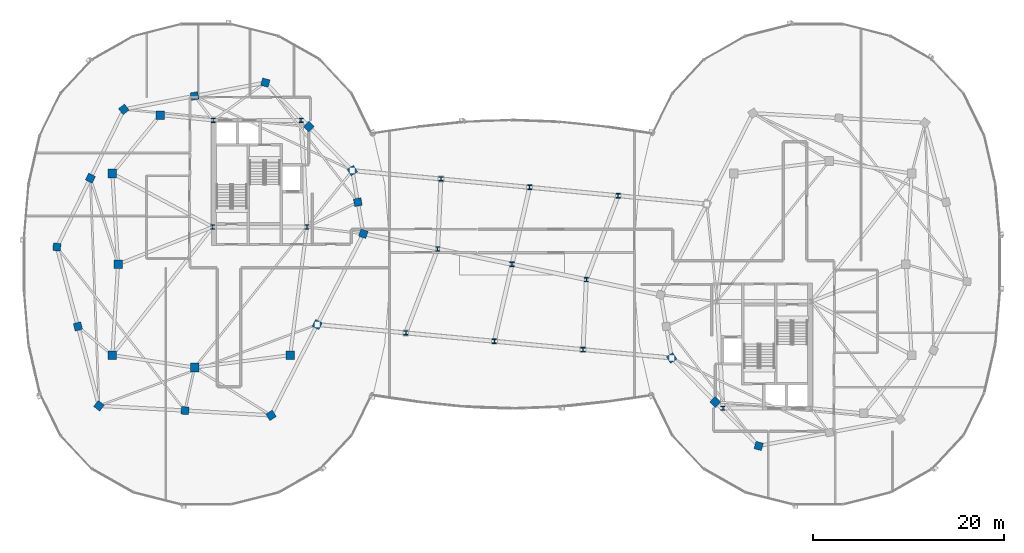
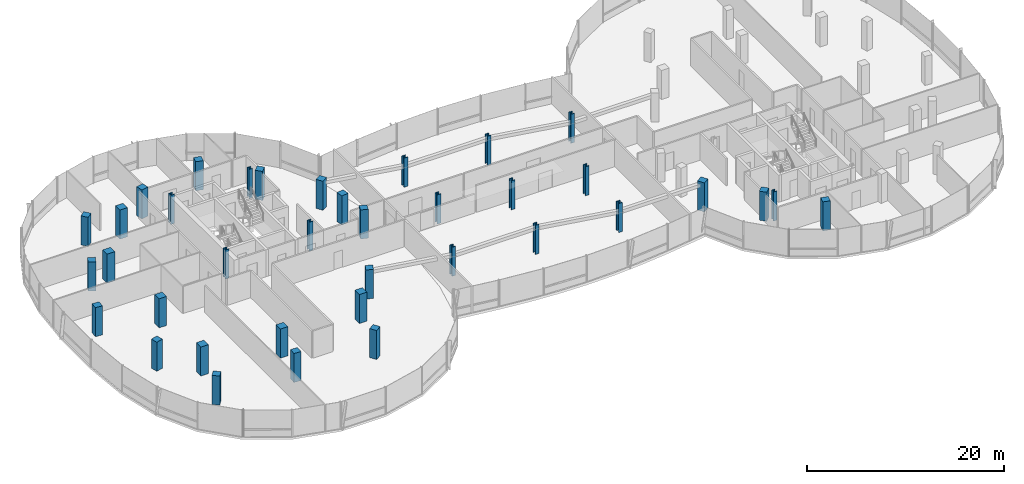
# One storey, part 1 of 25: 37 columns.
"""IFC4 building model written with IfcOpenShell, lengths in metres."""

from ifc_helpers import new_model, si_unit, direction, frame, origin, origin_2d, place, context, subcontext, project, spatial, rectangle, i_section, extrude, material, material_profile, profile_set, type_object, element, save


model = new_model("IFC4")

# Units and contexts
model_context = context("Model", 3, precision=1e-05, world=origin(), true_north=direction((0.0, 1.0)))
body_context = subcontext(model_context, "Body", "Model", "MODEL_VIEW")
ifc_project = project(units=[si_unit("LENGTHUNIT", "METRE"), si_unit("AREAUNIT", "SQUARE_METRE"), si_unit("VOLUMEUNIT", "CUBIC_METRE"), si_unit("PLANEANGLEUNIT", "RADIAN"), si_unit("MASSUNIT", "GRAM", prefix="KILO"), si_unit("THERMODYNAMICTEMPERATUREUNIT", "KELVIN"), si_unit("POWERUNIT", "WATT")], contexts=[model_context])

# Site, building, storey
site_placement = place(None, origin())
site = spatial("IfcSite", under=ifc_project, at=site_placement, CompositionType="ELEMENT")
building_placement = place(site_placement, origin())
building = spatial("IfcBuilding", under=site, at=building_placement, Name="Cundina Bronze Exchange", CompositionType="ELEMENT")
storey_placement = place(building_placement, frame((0.0, 0.0, 239.60009765625)))
storey = spatial("IfcBuildingStorey", under=building, at=storey_placement, Name="L63", CompositionType="ELEMENT", Elevation=239.60009765625)

# Columns
ifc_material_1 = material(Name="Concrete C50/60", Category="concrete")
ifc_material_profile_1 = material_profile(ifc_material_1, rectangle(XDim=0.800048828125, YDim=0.800048828125, at=origin_2d()), Name="RC800X800", Category="concrete")
ifc_profile_set_1 = profile_set([ifc_material_profile_1], Name="Concrete C50/60")
column_type_1 = type_object("IfcColumnType", Name="COL-BRG-800", PredefinedType="COLUMN", material=ifc_profile_set_1)
for number, where, z_axis, x_axis, name in (
    (1, (-15.550048828125, 3.199951171875, 0.0), (0.0, 0.0, 1.0), (0.315152163383, 0.949041155016, 0.0), "L63 W Perimeter Column 00"),
    (2, (-16.125, 6.5, 0.0), (0.0, 0.0, 1.0), (-0.171585221787, 0.985169280715, 0.0), "L63 W Perimeter Column 01"),
    (3, (-16.699951171875, 9.800048828125, 0.0), (0.0, 0.0, 1.0), (-0.544199833495, 0.838955625301, 0.0), "L63 W Perimeter Column 02"),
    (4, (-21.25, 14.39990234375, 0.0), (0.0, 0.0, 1.0), (-0.703270634186, 0.710922228581, 0.0), "L63 W Perimeter Column 03"),
    (5, (-25.800048828125, 19.0, 0.0), (0.0, 0.0, 1.0), (-0.965970984022, 0.258650455301, 0.0), "L63 W Perimeter Column 04"),
    (6, (-33.199951171875, 17.60009765625, 0.0), (0.0, 0.0, 1.0), (-0.98258037664, -0.185838110843, 0.0), "L63 W Perimeter Column 05"),
    (7, (-40.60009765625, 16.199951171875, 0.0), (0.0, 0.0, 1.0), (-0.785100778485, -0.619368038909, 0.0), "L63 W Perimeter Column 06"),
    (8, (-44.10009765625, 9.0, 0.0), (0.0, 0.0, 1.0), (-0.437115766651, -0.899405251566, 0.0), "L63 W Perimeter Column 07"),
    (9, (-47.60009765625, 1.800048828125, 0.0), (0.0, 0.0, 1.0), (-0.083503921245, -0.996507448611, 0.0), "L63 W Perimeter Column 08"),
    (10, (-45.39990234375, -6.5, 0.0), (0.0, 0.0, 1.0), (0.256289373133, -0.966600102017, 0.0), "L63 W Perimeter Column 09"),
    (11, (-43.199951171875, -14.800048828125, 0.0), (0.0, 0.0, 1.0), (0.786288432137, -0.61785961309, 0.0), "L63 W Perimeter Column 10"),
    (12, (-34.199951171875, -15.300048828125, 0.0), (0.0, 0.0, 1.0), (0.998460188734, -0.055472980025, 0.0), "L63 W Perimeter Column 11"),
    (13, (-25.199951171875, -15.800048828125, 0.0), (0.0, 0.0, 1.0), (0.838099763533, 0.545516989988, 0.0), "L63 W Perimeter Column 12"),
    (14, (-20.375, -6.300048828125, 0.0), (0.0, 0.0, 1.0), (0.452901591366, 0.891560513111, 0.0), "L63 W Perimeter Column 13"),
    (15, (16.699951171875, -9.800048828125, 0.0), (0.0, 0.0, 1.0), (0.544199833495, -0.838955625301, 0.0), "L63 E Perimeter Column 02"),
    (16, (21.25, -14.39990234375, 0.0), (0.0, 0.0, 1.0), (0.703270634186, -0.710922228581, 0.0), "L63 E Perimeter Column 03"),
    (17, (25.800048828125, -19.0, 0.0), (0.0, 0.0, 1.0), (0.965970984022, -0.258650455301, 0.0), "L63 E Perimeter Column 04"),
):
    element("IfcColumn", number, at=place(storey_placement, frame(where, z_axis=z_axis, x_axis=x_axis)), inside=storey, type_object=column_type_1, Name=name, PredefinedType="COLUMN", context=body_context, shape_type="SweptSolid", body=[
        extrude(rectangle(XDim=0.800048828125, YDim=0.800048828125, at=origin_2d()), origin(), (0.0, 0.0, 1.0), 3.599853515625),
    ])
ifc_material_2 = material(Name="Steel ASTM A992 Grade 50", Category="steel")
ifc_material_profile_2 = material_profile(ifc_material_2, i_section(OverallWidth=0.431884765625, OverallDepth=0.498046875, WebThickness=0.0556640625, FlangeThickness=0.0888671875, FilletRadius=0.01806640625, at=origin_2d()), Name="W14X500", Category="steel")
ifc_profile_set_2 = profile_set([ifc_material_profile_2], Name="Steel ASTM A992 Grade 50")
column_type_2 = type_object("IfcColumnType", Name="COL-STL-W14A", PredefinedType="COLUMN", material=ifc_profile_set_2)
for number, where, z_axis, x_axis, name in (
    (18, (-11.106201171875, -7.175048828125, 0.0), (0.0, 0.0, 1.0), (1.0, 0.0, 0.0), "L63 Sky-Gate Bridge Column Y1-X1"),
    (19, (-1.83740234375, -8.050048828125, 0.0), (0.0, 0.0, 1.0), (1.0, 0.0, 0.0), "L63 Sky-Gate Bridge Column Y1-X2"),
    (20, (7.431396484375, -8.925048828125, 0.0), (0.0, 0.0, 1.0), (1.0, 0.0, 0.0), "L63 Sky-Gate Bridge Column Y1-X3"),
    (21, (-7.77490234375, 1.60009765625, 0.0), (0.0, 0.0, 1.0), (1.0, 0.0, 0.0), "L63 Sky-Gate Bridge Column Y2-X1"),
    (22, (0.0, 0.0, 0.0), (0.0, 0.0, 1.0), (1.0, 0.0, 0.0), "L63 Sky-Gate Bridge Column Y2-X2"),
    (23, (7.77490234375, -1.60009765625, 0.0), (0.0, 0.0, 1.0), (1.0, 0.0, 0.0), "L63 Sky-Gate Bridge Column Y2-X3"),
    (24, (-7.43115234375, 8.925048828125, 0.0), (0.0, 0.0, 1.0), (1.0, 0.0, 0.0), "L63 Sky-Gate Bridge Column Y3-X1"),
    (25, (1.83740234375, 8.050048828125, 0.0), (0.0, 0.0, 1.0), (1.0, 0.0, 0.0), "L63 Sky-Gate Bridge Column Y3-X2"),
    (26, (11.106201171875, 7.175048828125, 0.0), (0.0, 0.0, 1.0), (1.0, 0.0, 0.0), "L63 Sky-Gate Bridge Column Y3-X3"),
):
    element("IfcColumn", number, at=place(storey_placement, frame(where, z_axis=z_axis, x_axis=x_axis)), inside=storey, type_object=column_type_2, Name=name, PredefinedType="COLUMN", context=body_context, shape_type="SweptSolid", body=[
        extrude(i_section(OverallWidth=0.431884765625, OverallDepth=0.498046875, WebThickness=0.0556640625, FlangeThickness=0.0888671875, FilletRadius=0.01806640625, at=origin_2d()), origin(), (0.0, 0.0, 1.0), 3.599853515625),
    ])
ifc_material_profile_3 = material_profile(ifc_material_2, i_section(OverallWidth=0.416015625, OverallDepth=0.446044921875, WebThickness=0.0390625, FlangeThickness=0.062744140625, FilletRadius=0.01806640625, at=origin_2d()), Name="W14X342", Category="steel")
ifc_profile_set_3 = profile_set([ifc_material_profile_3], Name="Steel ASTM A992 Grade 50")
column_type_3 = type_object("IfcColumnType", Name="COL-STL-W14B", PredefinedType="COLUMN", material=ifc_profile_set_3)
for number, where, z_axis, x_axis, name in (
    (27, (-31.300048828125, 3.89990234375, 0.0), (0.0, 0.0, 1.0), (1.0, 0.0, 0.0), "L63 Core Anchor Column W1"),
    (28, (-21.449951171875, 3.89990234375, 0.0), (0.0, 0.0, 1.0), (1.0, 0.0, 0.0), "L63 Core Anchor Column W2"),
    (29, (-22.050048828125, 15.050048828125, 0.0), (0.0, 0.0, 1.0), (1.0, 0.0, 0.0), "L63 Core Anchor Column W3"),
    (30, (-31.25, 15.050048828125, 0.0), (0.0, 0.0, 1.0), (1.0, 0.0, 0.0), "L63 Core Anchor Column W4"),
    (31, (22.050048828125, -15.050048828125, 0.0), (0.0, 0.0, 1.0), (1.0, 0.0, 0.0), "L63 Core Anchor Column E3"),
):
    element("IfcColumn", number, at=place(storey_placement, frame(where, z_axis=z_axis, x_axis=x_axis)), inside=storey, type_object=column_type_3, Name=name, PredefinedType="COLUMN", context=body_context, shape_type="SweptSolid", body=[
        extrude(i_section(OverallWidth=0.416015625, OverallDepth=0.446044921875, WebThickness=0.0390625, FlangeThickness=0.062744140625, FilletRadius=0.01806640625, at=origin_2d()), origin(), (0.0, 0.0, 1.0), 3.599853515625),
    ])
ifc_material_profile_4 = material_profile(ifc_material_1, rectangle(XDim=0.89990234375, YDim=0.89990234375, at=origin_2d()), Name="RC900X900", Category="concrete")
ifc_profile_set_4 = profile_set([ifc_material_profile_4], Name="Concrete C50/60")
column_type_4 = type_object("IfcColumnType", Name="COL-Z4-900", PredefinedType="COLUMN", material=ifc_profile_set_4)
for number, where, z_axis, x_axis, name in (
    (32, (-41.199951171875, 0.0, 0.0), (0.0, 0.0, 1.0), (1.0, 0.0, 0.0), "L63 W Inner Ring Column 1"),
    (33, (-41.800048828125, 9.5, 0.0), (0.0, 0.0, 1.0), (1.0, 0.0, 0.0), "L63 W Inner Ring Column 2"),
    (34, (-36.800048828125, 15.60009765625, 0.0), (0.0, 0.0, 1.0), (1.0, 0.0, 0.0), "L63 W Inner Ring Column 3"),
    (35, (-41.800048828125, -9.5, 0.0), (0.0, 0.0, 1.0), (1.0, 0.0, 0.0), "L63 W Inner Ring Column 4"),
    (36, (-33.199951171875, -10.800048828125, 0.0), (0.0, 0.0, 1.0), (1.0, 0.0, 0.0), "L63 W Inner Ring Column 5"),
    (37, (-23.199951171875, -9.5, 0.0), (0.0, 0.0, 1.0), (1.0, 0.0, 0.0), "L63 W Inner Ring Column 6"),
):
    element("IfcColumn", number, at=place(storey_placement, frame(where, z_axis=z_axis, x_axis=x_axis)), inside=storey, type_object=column_type_4, Name=name, PredefinedType="COLUMN", context=body_context, shape_type="SweptSolid", body=[
        extrude(rectangle(XDim=0.89990234375, YDim=0.89990234375, at=origin_2d()), origin(), (0.0, 0.0, 1.0), 3.599853515625),
    ])

save(model, "model.ifc")
